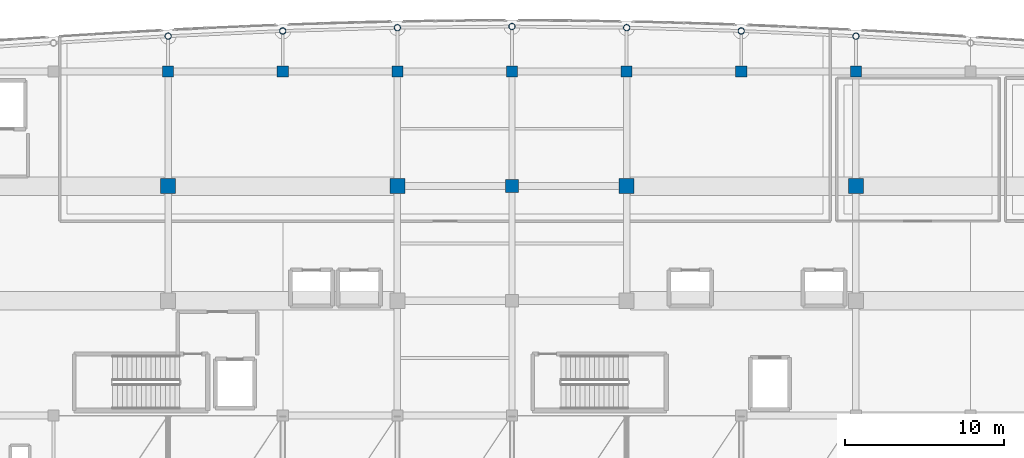
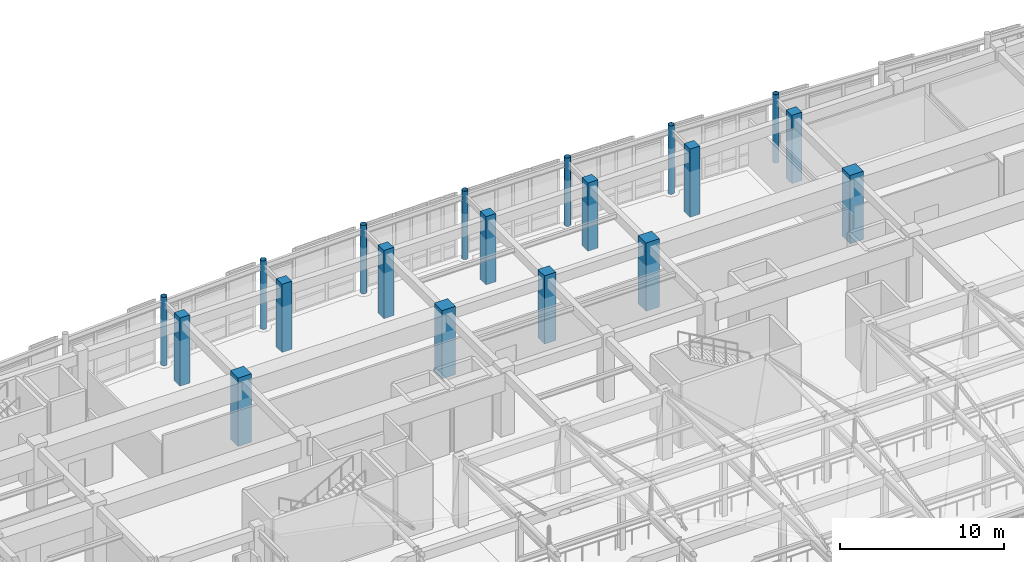
# One storey, part 9 of 117: 19 columns.
"""IFC4 building model written with IfcOpenShell, lengths in metres."""

from ifc_helpers import new_model, si_unit, direction, frame, origin, origin_2d, place, context, subcontext, project, spatial, rectangle, hollow_circle, extrude, material, material_profile, profile_set, type_object, element, save


model = new_model("IFC4")

# Units and contexts
model_context = context("Model", 3, precision=1e-05, world=origin(), true_north=direction((0.0, 1.0)))
body_context = subcontext(model_context, "Body", "Model", "MODEL_VIEW")
ifc_project = project(units=[si_unit("LENGTHUNIT", "METRE"), si_unit("AREAUNIT", "SQUARE_METRE"), si_unit("VOLUMEUNIT", "CUBIC_METRE"), si_unit("PLANEANGLEUNIT", "RADIAN"), si_unit("MASSUNIT", "GRAM", prefix="KILO")], contexts=[model_context])

# Site, building, storey
site_placement = place(None, origin())
site = spatial("IfcSite", under=ifc_project, at=site_placement, CompositionType="ELEMENT")
building_placement = place(site_placement, origin())
building = spatial("IfcBuilding", under=site, at=building_placement, Name="Carrowvane Square Congress Hotel", CompositionType="ELEMENT")
storey_placement = place(building_placement, frame((0.0, 0.0, 5.39990234375)))
storey = spatial("IfcBuildingStorey", under=building, at=storey_placement, Name="L01", CompositionType="ELEMENT", Elevation=5.39990234375)

# Columns
ifc_material_1 = material(Name="Concrete C40/50", Category="concrete")
ifc_material_profile_1 = material_profile(ifc_material_1, rectangle(XDim=0.699951171875, YDim=0.699951171875, at=origin_2d()), Name="RC 700x700")
ifc_profile_set_1 = profile_set([ifc_material_profile_1], Name="Concrete C40/50")
column_type_1 = type_object("IfcColumnType", Name="COL-RC-700", PredefinedType="COLUMN", material=ifc_profile_set_1)
for number, where, z_axis, x_axis, name in (
    (1, (76.39990234375, 113.39990234375, 0.0), (0.0, 0.0, 1.0), (1.0, 0.0, 0.0), "L01 column 10/R"),
    (2, (83.60009765625, 113.39990234375, 0.0), (0.0, 0.0, 1.0), (1.0, 0.0, 0.0), "L01 column 11/R"),
    (3, (90.800048828125, 113.39990234375, 0.0), (0.0, 0.0, 1.0), (1.0, 0.0, 0.0), "L01 column 12/R"),
    (4, (98.0, 113.39990234375, 0.0), (0.0, 0.0, 1.0), (1.0, 0.0, 0.0), "L01 column 13/R"),
    (5, (105.199951171875, 113.39990234375, 0.0), (0.0, 0.0, 1.0), (1.0, 0.0, 0.0), "L01 column 14/R"),
    (6, (112.39990234375, 113.39990234375, 0.0), (0.0, 0.0, 1.0), (1.0, 0.0, 0.0), "L01 column 15/R"),
    (7, (119.60009765625, 113.39990234375, 0.0), (0.0, 0.0, 1.0), (1.0, 0.0, 0.0), "L01 column 16/R"),
):
    element("IfcColumn", number, at=place(storey_placement, frame(where, z_axis=z_axis, x_axis=x_axis)), inside=storey, type_object=column_type_1, Name=name, PredefinedType="COLUMN", context=body_context, shape_type="SweptSolid", body=[
        extrude(rectangle(XDim=0.699951171875, YDim=0.699951171875, at=origin_2d()), origin(), (0.0, 0.0, 1.0), 5.10009765625),
    ])
ifc_material_2 = material(Name="Concrete C40/50", Category="concrete")
ifc_material_profile_2 = material_profile(ifc_material_2, rectangle(XDim=0.800048828125, YDim=0.800048828125, at=origin_2d()), Name="RC 800x800")
ifc_profile_set_2 = profile_set([ifc_material_profile_2], Name="Concrete C40/50")
column_type_2 = type_object("IfcColumnType", Name="COL-RC-800", PredefinedType="COLUMN", material=ifc_profile_set_2)
column_placement = place(storey_placement, frame((98.0, 106.199951171875, 0.0), z_axis=(0.0, 0.0, 1.0), x_axis=(1.0, 0.0, 0.0)))
element("IfcColumn", 8, at=column_placement, inside=storey, type_object=column_type_2, Name="L01 column 13/Q", PredefinedType="COLUMN", context=body_context, shape_type="SweptSolid", body=[
    extrude(rectangle(XDim=0.800048828125, YDim=0.800048828125, at=origin_2d()), origin(), (0.0, 0.0, 1.0), 5.10009765625),
])
ifc_material_3 = material(Name="Steel S355", Category="steel")
ifc_material_profile_3 = material_profile(ifc_material_3, hollow_circle(Radius=0.203125, WallThickness=0.02001953125, at=origin_2d()), Name="CHS 406.4x20")
ifc_profile_set_3 = profile_set([ifc_material_profile_3], Name="Steel S355")
column_type_3 = type_object("IfcColumnType", Name="COL-ST-CHS406", PredefinedType="COLUMN", material=ifc_profile_set_3)
for number, where, z_axis, x_axis, name in (
    (9, (76.39990234375, 115.61767578125, 0.0), (0.0, 0.0, 1.0), (1.0, 0.0, 0.0), "L01 column 10/ARC"),
    (10, (83.60009765625, 115.944091796875, 0.0), (0.0, 0.0, 1.0), (1.0, 0.0, 0.0), "L01 column 11/ARC"),
    (11, (90.800048828125, 116.14990234375, 0.0), (0.0, 0.0, 1.0), (1.0, 0.0, 0.0), "L01 column 12/ARC"),
    (12, (98.0, 116.219970703125, 0.0), (0.0, 0.0, 1.0), (1.0, 0.0, 0.0), "L01 column 13/ARC"),
    (13, (105.199951171875, 116.14990234375, 0.0), (0.0, 0.0, 1.0), (1.0, 0.0, 0.0), "L01 column 14/ARC"),
    (14, (112.39990234375, 115.944091796875, 0.0), (0.0, 0.0, 1.0), (1.0, 0.0, 0.0), "L01 column 15/ARC"),
    (15, (119.60009765625, 115.61767578125, 0.0), (0.0, 0.0, 1.0), (1.0, 0.0, 0.0), "L01 column 16/ARC"),
):
    element("IfcColumn", number, at=place(storey_placement, frame(where, z_axis=z_axis, x_axis=x_axis)), inside=storey, type_object=column_type_3, Name=name, PredefinedType="COLUMN", context=body_context, shape_type="SweptSolid", body=[
        extrude(hollow_circle(Radius=0.203125, WallThickness=0.02001953125, at=origin_2d()), origin(), (0.0, 0.0, 1.0), 5.10009765625),
    ])
ifc_material_4 = material(Name="Concrete C40/50", Category="concrete")
ifc_material_profile_4 = material_profile(ifc_material_4, rectangle(XDim=0.949951171875, YDim=0.949951171875, at=origin_2d()), Name="RC 950x950")
ifc_profile_set_4 = profile_set([ifc_material_profile_4], Name="Concrete C40/50")
column_type_4 = type_object("IfcColumnType", Name="MCOL-RC-1000", PredefinedType="COLUMN", material=ifc_profile_set_4)
for number, where, z_axis, x_axis, name in (
    (16, (76.39990234375, 106.199951171875, 0.0), (0.0, 0.0, 1.0), (1.0, 0.0, 0.0), "L01 column 10/Q"),
    (17, (90.800048828125, 106.199951171875, 0.0), (0.0, 0.0, 1.0), (1.0, 0.0, 0.0), "L01 column 12/Q"),
    (18, (105.199951171875, 106.199951171875, 0.0), (0.0, 0.0, 1.0), (1.0, 0.0, 0.0), "L01 column 14/Q"),
    (19, (119.60009765625, 106.199951171875, 0.0), (0.0, 0.0, 1.0), (1.0, 0.0, 0.0), "L01 column 16/Q"),
):
    element("IfcColumn", number, at=place(storey_placement, frame(where, z_axis=z_axis, x_axis=x_axis)), inside=storey, type_object=column_type_4, Name=name, PredefinedType="COLUMN", context=body_context, shape_type="SweptSolid", body=[
        extrude(rectangle(XDim=0.949951171875, YDim=0.949951171875, at=origin_2d()), origin(), (0.0, 0.0, 1.0), 5.10009765625),
    ])

save(model, "model.ifc")
